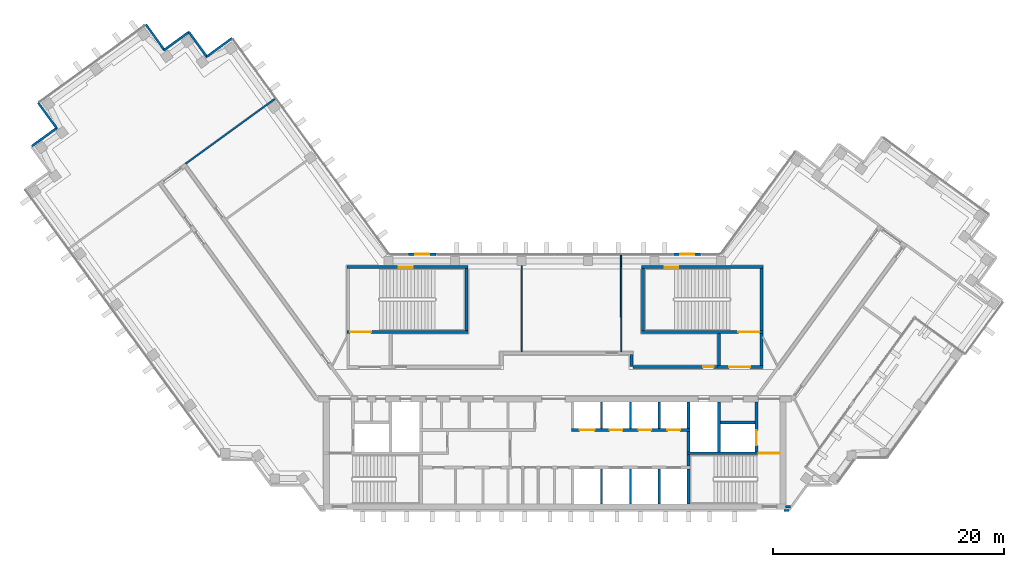
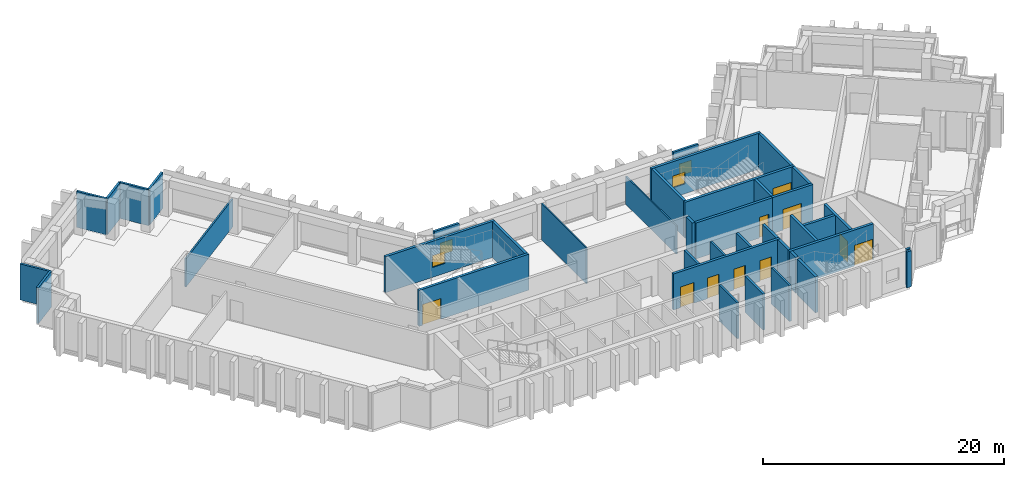
# One storey, part 7 of 10: 40 walls, 10 doors, 4 windows, 14 openings.
"""IFC4 building model written with IfcOpenShell, lengths in metres."""

from ifc_helpers import new_model, si_unit, direction, frame, frame_2d, origin, place, context, subcontext, project, spatial, rectangle, extrude, material, layer, layer_set, type_object, element, fill, save


model = new_model("IFC4")

# Units and contexts
model_context = context("Model", 3, precision=1e-05, world=origin(), true_north=direction((0.0, 1.0)))
body_context = subcontext(model_context, "Body", "Model", "MODEL_VIEW")
ifc_project = project(units=[si_unit("LENGTHUNIT", "METRE"), si_unit("AREAUNIT", "SQUARE_METRE"), si_unit("VOLUMEUNIT", "CUBIC_METRE"), si_unit("PLANEANGLEUNIT", "RADIAN"), si_unit("MASSUNIT", "GRAM", prefix="KILO")], contexts=[model_context])

# Site, building, storey
site_placement = place(None, origin())
site = spatial("IfcSite", under=ifc_project, at=site_placement, CompositionType="ELEMENT")
building_placement = place(site_placement, origin())
building = spatial("IfcBuilding", under=site, at=building_placement, Name="Quipu Civic Tower", CompositionType="ELEMENT")
storey_placement = place(building_placement, frame((0.0, 0.0, 206.0)))
storey = spatial("IfcBuildingStorey", under=building, at=storey_placement, Name="L48", CompositionType="ELEMENT", Elevation=206.0)

# Walls
ifc_material_1 = material(Name="Double gypsum plasterboard with mineral wool")
ifc_layer_1 = layer(ifc_material_1, 0.14990234375)
ifc_layer_set_1 = layer_set([ifc_layer_1], Name="Double gypsum plasterboard with mineral wool")
wall_type_1 = type_object("IfcWallType", Name="Acoustic partition 150 plasterboard", PredefinedType="PARTITIONING", material=ifc_layer_set_1)
wall_1_placement = place(storey_placement, frame((-24.226318359375, 24.531494140625, 0.0), z_axis=(0.0, 0.0, 1.0), x_axis=(-0.80898585166, -0.587828114175, 0.0)))
element("IfcWall", 1, at=wall_1_placement, inside=storey, type_object=wall_type_1, Name="Partition P04", PredefinedType="PARTITIONING", context=body_context, shape_type="SweptSolid", body=[
    extrude(rectangle(XDim=9.550048828125, YDim=0.14990234375, at=frame_2d((4.77490234375, 0.0))), origin(), (0.0, 0.0, 1.0), 2.85009765625),
])
ifc_material_2 = material(Name="Concrete C70/85", Category="concrete")
ifc_layer_2 = layer(ifc_material_2, 0.25)
ifc_layer_set_2 = layer_set([ifc_layer_2], Name="Concrete C70/85")
wall_type_2 = type_object("IfcWallType", Name="Core wall 250", PredefinedType="SHEAR", material=ifc_layer_set_2)
wall_2_placement = place(storey_placement, frame((11.574951171875, -10.5, 0.0), z_axis=(0.0, 0.0, 1.0), x_axis=(0.0, 1.0, 0.0)))
element("IfcWall", 2, at=wall_2_placement, inside=storey, type_object=wall_type_2, Name="Core wall", PredefinedType="SHEAR", context=body_context, shape_type="SweptSolid", body=[
    extrude(rectangle(XDim=3.0, YDim=0.25, at=frame_2d((1.5, 0.0))), origin(), (0.0, 0.0, 1.0), 3.64990234375),
])
wall_3_placement = place(storey_placement, frame((11.574951171875, -7.25, 0.0), z_axis=(0.0, 0.0, 1.0), x_axis=(0.0, 1.0, 0.0)))
element("IfcWall", 3, at=wall_3_placement, inside=storey, type_object=wall_type_2, Name="Core wall", PredefinedType="SHEAR", context=body_context, shape_type="SweptSolid", body=[
    extrude(rectangle(XDim=1.0, YDim=0.25, at=frame_2d((0.5, 0.0))), origin(), (0.0, 0.0, 1.0), 3.64990234375),
])

# Wall, opening, door
wall_4_placement = place(storey_placement, frame((19.5, -6.125, 0.0), z_axis=(0.0, 0.0, 1.0), x_axis=(-1.0, 0.0, 0.0)))
wall_4 = element("IfcWall", 4, at=wall_4_placement, inside=storey, type_object=wall_type_2, Name="Core wall", PredefinedType="SHEAR", context=body_context, shape_type="SweptSolid", body=[
    extrude(rectangle(XDim=8.050048828125, YDim=0.25, at=frame_2d((4.02490234375, 0.0))), origin(), (0.0, 0.0, 1.0), 3.64990234375),
])
opening_1_placement = place(wall_4_placement, frame((0.050048828125, 0.0, 0.0)))
opening_1 = element("IfcOpeningElement", 5, at=opening_1_placement, cuts=wall_4, Name="Opening CD-09", PredefinedType="OPENING", context=body_context, shape_type="SweptSolid", body=[
    extrude(rectangle(XDim=1.800048828125, YDim=2.10009765625, at=frame_2d((0.89990234375, 1.050048828125))), frame((0.0, 0.135009765625, 0.0), z_axis=(0.0, -1.0, 0.0), x_axis=(1.0, 0.0, 0.0)), (0.0, 0.0, 1.0), 0.27001953125),
])
ifc_material_3 = material(Name="Fire rated steel door", Category="steel")
door_type_1 = type_object("IfcDoorType", Name="Fire door FD90 double 1800 x 2100", OperationType="NOTDEFINED", PredefinedType="DOOR", material=ifc_material_3)
door_1_placement = place(opening_1_placement, origin())
door_1 = element("IfcDoor", 6, at=door_1_placement, inside=storey, type_object=door_type_1, Name="Door", OperationType="DOUBLE_DOOR_SINGLE_SWING", OverallHeight=2.10009765625, OverallWidth=1.800048828125, PredefinedType="DOOR", context=body_context, shape_type="SweptSolid", body=[
    extrude(rectangle(XDim=1.800048828125, YDim=2.10009765625, at=frame_2d((0.89990234375, 1.050048828125))), frame((0.0, 0.02490234375, 0.0), z_axis=(0.0, -1.0, 0.0), x_axis=(1.0, 0.0, 0.0)), (0.0, 0.0, 1.0), 0.050048828125),
])
fill(opening_1, door_1)

# Walls
wall_5_placement = place(storey_placement, frame((11.574951171875, -6.0, 0.0), z_axis=(0.0, 0.0, 1.0), x_axis=(0.0, 1.0, 0.0)))
element("IfcWall", 7, at=wall_5_placement, inside=storey, type_object=wall_type_2, Name="Core wall", PredefinedType="SHEAR", context=body_context, shape_type="SweptSolid", body=[
    extrude(rectangle(XDim=1.75, YDim=0.25, at=frame_2d((0.875, 0.0))), origin(), (0.0, 0.0, 1.0), 3.64990234375),
])
wall_6_placement = place(storey_placement, frame((14.22509765625, -6.0, 0.0), z_axis=(0.0, 0.0, 1.0), x_axis=(0.0, 1.0, 0.0)))
element("IfcWall", 8, at=wall_6_placement, inside=storey, type_object=wall_type_2, Name="Core wall", PredefinedType="SHEAR", context=body_context, shape_type="SweptSolid", body=[
    extrude(rectangle(XDim=4.300048828125, YDim=0.25, at=frame_2d((2.14990234375, 0.0))), origin(), (0.0, 0.0, 1.0), 3.64990234375),
])

# Wall, opening, door
wall_7_placement = place(storey_placement, frame((17.47509765625, -6.0, 0.0), z_axis=(0.0, 0.0, 1.0), x_axis=(0.0, 1.0, 0.0)))
wall_7 = element("IfcWall", 9, at=wall_7_placement, inside=storey, type_object=wall_type_2, Name="Core wall", PredefinedType="SHEAR", context=body_context, shape_type="SweptSolid", body=[
    extrude(rectangle(XDim=4.300048828125, YDim=0.25, at=frame_2d((2.14990234375, 0.0))), origin(), (0.0, 0.0, 1.0), 3.64990234375),
])
opening_2_placement = place(wall_7_placement, frame((0.550048828125, 0.0, 0.0)))
opening_2 = element("IfcOpeningElement", 10, at=opening_2_placement, cuts=wall_7, Name="Opening LD-FF2", PredefinedType="OPENING", context=body_context, shape_type="SweptSolid", body=[
    extrude(rectangle(XDim=1.300048828125, YDim=2.10009765625, at=frame_2d((0.64990234375, 1.050048828125))), frame((0.0, 0.135009765625, 0.0), z_axis=(0.0, -1.0, 0.0), x_axis=(1.0, 0.0, 0.0)), (0.0, 0.0, 1.0), 0.27001953125),
])
ifc_material_4 = material(Name="Stainless steel", Category="steel")
door_type_2 = type_object("IfcDoorType", Name="Lift landing door 1300 x 2100", OperationType="DOUBLE_DOOR_SLIDING", PredefinedType="DOOR", material=ifc_material_4)
door_2_placement = place(opening_2_placement, origin())
door_2 = element("IfcDoor", 11, at=door_2_placement, inside=storey, type_object=door_type_2, Name="Landing door FF2", OperationType="DOUBLE_DOOR_SLIDING", OverallHeight=2.10009765625, OverallWidth=1.300048828125, PredefinedType="DOOR", context=body_context, shape_type="SweptSolid", body=[
    extrude(rectangle(XDim=1.300048828125, YDim=2.10009765625, at=frame_2d((0.64990234375, 1.050048828125))), frame((0.0, 0.02490234375, 0.0), z_axis=(0.0, -1.0, 0.0), x_axis=(1.0, 0.0, 0.0)), (0.0, 0.0, 1.0), 0.050048828125),
])
fill(opening_2, door_2)

# Wall, openings, doors
wall_8_placement = place(storey_placement, frame((1.449951171875, -4.125, 0.0), z_axis=(0.0, 0.0, 1.0), x_axis=(1.0, 0.0, 0.0)))
wall_8 = element("IfcWall", 12, at=wall_8_placement, inside=storey, type_object=wall_type_2, Name="Core wall", PredefinedType="SHEAR", context=body_context, shape_type="SweptSolid", body=[
    extrude(rectangle(XDim=10.25, YDim=0.25, at=frame_2d((5.125, 0.0))), origin(), (0.0, 0.0, 1.0), 3.64990234375),
])
opening_3_placement = place(wall_8_placement, frame((0.699951171875, 0.0, 0.0)))
opening_3 = element("IfcOpeningElement", 13, at=opening_3_placement, cuts=wall_8, Name="Opening LD-FF3", PredefinedType="OPENING", context=body_context, shape_type="SweptSolid", body=[
    extrude(rectangle(XDim=1.300048828125, YDim=2.10009765625, at=frame_2d((0.64990234375, 1.050048828125))), frame((0.0, 0.135009765625, 0.0), z_axis=(0.0, -1.0, 0.0), x_axis=(1.0, 0.0, 0.0)), (0.0, 0.0, 1.0), 0.27001953125),
])
opening_4_placement = place(wall_8_placement, frame((3.300048828125, 0.0, 0.0)))
opening_4 = element("IfcOpeningElement", 14, at=opening_4_placement, cuts=wall_8, Name="Opening LD-ML5", PredefinedType="OPENING", context=body_context, shape_type="SweptSolid", body=[
    extrude(rectangle(XDim=1.10009765625, YDim=2.10009765625, at=frame_2d((0.550048828125, 1.050048828125))), frame((0.0, 0.135009765625, 0.0), z_axis=(0.0, -1.0, 0.0), x_axis=(1.0, 0.0, 0.0)), (0.0, 0.0, 1.0), 0.27001953125),
])
opening_5_placement = place(wall_8_placement, frame((5.800048828125, 0.0, 0.0)))
opening_5 = element("IfcOpeningElement", 15, at=opening_5_placement, cuts=wall_8, Name="Opening LD-ML6", PredefinedType="OPENING", context=body_context, shape_type="SweptSolid", body=[
    extrude(rectangle(XDim=1.10009765625, YDim=2.10009765625, at=frame_2d((0.550048828125, 1.050048828125))), frame((0.0, 0.135009765625, 0.0), z_axis=(0.0, -1.0, 0.0), x_axis=(1.0, 0.0, 0.0)), (0.0, 0.0, 1.0), 0.27001953125),
])
opening_6_placement = place(wall_8_placement, frame((8.300048828125, 0.0, 0.0)))
opening_6 = element("IfcOpeningElement", 16, at=opening_6_placement, cuts=wall_8, Name="Opening LD-ML7", PredefinedType="OPENING", context=body_context, shape_type="SweptSolid", body=[
    extrude(rectangle(XDim=1.10009765625, YDim=2.10009765625, at=frame_2d((0.550048828125, 1.050048828125))), frame((0.0, 0.135009765625, 0.0), z_axis=(0.0, -1.0, 0.0), x_axis=(1.0, 0.0, 0.0)), (0.0, 0.0, 1.0), 0.27001953125),
])
ifc_material_5 = material(Name="Stainless steel", Category="steel")
door_type_3 = type_object("IfcDoorType", Name="Lift landing door 1100 x 2100", OperationType="DOUBLE_DOOR_SLIDING", PredefinedType="DOOR", material=ifc_material_5)
door_3_placement = place(opening_4_placement, origin())
door_3 = element("IfcDoor", 17, at=door_3_placement, inside=storey, type_object=door_type_3, Name="Landing door ML5", OperationType="DOUBLE_DOOR_SLIDING", OverallHeight=2.10009765625, OverallWidth=1.10009765625, PredefinedType="DOOR", context=body_context, shape_type="SweptSolid", body=[
    extrude(rectangle(XDim=1.10009765625, YDim=2.10009765625, at=frame_2d((0.550048828125, 1.050048828125))), frame((0.0, 0.02490234375, 0.0), z_axis=(0.0, -1.0, 0.0), x_axis=(1.0, 0.0, 0.0)), (0.0, 0.0, 1.0), 0.050048828125),
])
fill(opening_4, door_3)
door_4_placement = place(opening_5_placement, origin())
door_4 = element("IfcDoor", 18, at=door_4_placement, inside=storey, type_object=door_type_3, Name="Landing door ML6", OperationType="DOUBLE_DOOR_SLIDING", OverallHeight=2.10009765625, OverallWidth=1.10009765625, PredefinedType="DOOR", context=body_context, shape_type="SweptSolid", body=[
    extrude(rectangle(XDim=1.10009765625, YDim=2.10009765625, at=frame_2d((0.550048828125, 1.050048828125))), frame((0.0, 0.02490234375, 0.0), z_axis=(0.0, -1.0, 0.0), x_axis=(1.0, 0.0, 0.0)), (0.0, 0.0, 1.0), 0.050048828125),
])
fill(opening_5, door_4)
door_5_placement = place(opening_6_placement, origin())
door_5 = element("IfcDoor", 19, at=door_5_placement, inside=storey, type_object=door_type_3, Name="Landing door ML7", OperationType="DOUBLE_DOOR_SLIDING", OverallHeight=2.10009765625, OverallWidth=1.10009765625, PredefinedType="DOOR", context=body_context, shape_type="SweptSolid", body=[
    extrude(rectangle(XDim=1.10009765625, YDim=2.10009765625, at=frame_2d((0.550048828125, 1.050048828125))), frame((0.0, 0.02490234375, 0.0), z_axis=(0.0, -1.0, 0.0), x_axis=(1.0, 0.0, 0.0)), (0.0, 0.0, 1.0), 0.050048828125),
])
fill(opening_6, door_5)
door_6_placement = place(opening_3_placement, origin())
door_6 = element("IfcDoor", 20, at=door_6_placement, inside=storey, type_object=door_type_2, Name="Landing door FF3", OperationType="DOUBLE_DOOR_SLIDING", OverallHeight=2.10009765625, OverallWidth=1.300048828125, PredefinedType="DOOR", context=body_context, shape_type="SweptSolid", body=[
    extrude(rectangle(XDim=1.300048828125, YDim=2.10009765625, at=frame_2d((0.64990234375, 1.050048828125))), frame((0.0, 0.02490234375, 0.0), z_axis=(0.0, -1.0, 0.0), x_axis=(1.0, 0.0, 0.0)), (0.0, 0.0, 1.0), 0.050048828125),
])
fill(opening_3, door_6)

# Walls
wall_9_placement = place(storey_placement, frame((11.574951171875, -4.0, 0.0), z_axis=(0.0, 0.0, 1.0), x_axis=(0.0, 1.0, 0.0)))
element("IfcWall", 21, at=wall_9_placement, inside=storey, type_object=wall_type_2, Name="Core wall", PredefinedType="SHEAR", context=body_context, shape_type="SweptSolid", body=[
    extrude(rectangle(XDim=2.300048828125, YDim=0.25, at=frame_2d((1.14990234375, 0.0))), origin(), (0.0, 0.0, 1.0), 3.64990234375),
])
wall_10_placement = place(storey_placement, frame((14.35009765625, -3.47509765625, 0.0), z_axis=(0.0, 0.0, 1.0), x_axis=(1.0, 0.0, 0.0)))
element("IfcWall", 22, at=wall_10_placement, inside=storey, type_object=wall_type_2, Name="Core wall", PredefinedType="SHEAR", context=body_context, shape_type="SweptSolid", body=[
    extrude(rectangle(XDim=3.0, YDim=0.25, at=frame_2d((1.5, 0.0))), origin(), (0.0, 0.0, 1.0), 3.64990234375),
])

# Wall, opening, door
wall_11_placement = place(storey_placement, frame((-18.0, 4.375, 0.0), z_axis=(0.0, 0.0, 1.0), x_axis=(1.0, 0.0, 0.0)))
wall_11 = element("IfcWall", 23, at=wall_11_placement, inside=storey, type_object=wall_type_2, Name="Core wall", PredefinedType="SHEAR", context=body_context, shape_type="SweptSolid", body=[
    extrude(rectangle(XDim=10.5, YDim=0.25, at=frame_2d((5.25, 0.0))), origin(), (0.0, 0.0, 1.0), 3.64990234375),
])
opening_7_placement = place(wall_11_placement, frame((0.300048828125, 0.0, 0.0)))
opening_7 = element("IfcOpeningElement", 24, at=opening_7_placement, cuts=wall_11, Name="Opening CD-25", PredefinedType="OPENING", context=body_context, shape_type="SweptSolid", body=[
    extrude(rectangle(XDim=1.800048828125, YDim=2.10009765625, at=frame_2d((0.89990234375, 1.050048828125))), frame((0.0, 0.135009765625, 0.0), z_axis=(0.0, -1.0, 0.0), x_axis=(1.0, 0.0, 0.0)), (0.0, 0.0, 1.0), 0.27001953125),
])
door_7_placement = place(opening_7_placement, origin())
door_7 = element("IfcDoor", 25, at=door_7_placement, inside=storey, type_object=door_type_1, Name="Door", OperationType="DOUBLE_DOOR_SINGLE_SWING", OverallHeight=2.10009765625, OverallWidth=1.800048828125, PredefinedType="DOOR", context=body_context, shape_type="SweptSolid", body=[
    extrude(rectangle(XDim=1.800048828125, YDim=2.10009765625, at=frame_2d((0.89990234375, 1.050048828125))), frame((0.0, 0.02490234375, 0.0), z_axis=(0.0, -1.0, 0.0), x_axis=(1.0, 0.0, 0.0)), (0.0, 0.0, 1.0), 0.050048828125),
])
fill(opening_7, door_7)

# Wall
wall_12_placement = place(storey_placement, frame((-7.625, 4.5, 0.0), z_axis=(0.0, 0.0, 1.0), x_axis=(0.0, 1.0, 0.0)))
element("IfcWall", 26, at=wall_12_placement, inside=storey, type_object=wall_type_2, Name="Core wall", PredefinedType="SHEAR", context=body_context, shape_type="SweptSolid", body=[
    extrude(rectangle(XDim=5.35009765625, YDim=0.25, at=frame_2d((2.675048828125, 0.0))), origin(), (0.0, 0.0, 1.0), 3.64990234375),
])

# Wall, opening, window
wall_13_placement = place(storey_placement, frame((-18.0, 9.97509765625, 0.0), z_axis=(0.0, 0.0, 1.0), x_axis=(1.0, 0.0, 0.0)))
wall_13 = element("IfcWall", 27, at=wall_13_placement, inside=storey, type_object=wall_type_2, Name="Core wall", PredefinedType="SHEAR", context=body_context, shape_type="SweptSolid", body=[
    extrude(rectangle(XDim=10.5, YDim=0.25, at=frame_2d((5.25, 0.0))), origin(), (0.0, 0.0, 1.0), 3.64990234375),
])
opening_8_placement = place(wall_13_placement, frame((4.5, 0.0, 1.0)))
opening_8 = element("IfcOpeningElement", 28, at=opening_8_placement, cuts=wall_13, Name="Opening SV-3", PredefinedType="OPENING", context=body_context, shape_type="SweptSolid", body=[
    extrude(rectangle(XDim=1.199951171875, YDim=1.199951171875, at=frame_2d((0.60009765625, 0.60009765625))), frame((0.0, 0.135009765625, 0.0), z_axis=(0.0, -1.0, 0.0), x_axis=(1.0, 0.0, 0.0)), (0.0, 0.0, 1.0), 0.27001953125),
])
ifc_material_6 = material(Name="Aluminium louvre", Category="aluminium")
window_type_1 = type_object("IfcWindowType", Name="Stair ventilation louvre 1200 x 1200", PartitioningType="SINGLE_PANEL", PredefinedType="WINDOW", material=ifc_material_6)
window_1_placement = place(opening_8_placement, origin())
window_1 = element("IfcWindow", 29, at=window_1_placement, inside=storey, type_object=window_type_1, Name="Stair ventilation opening", OverallHeight=1.199951171875, OverallWidth=1.199951171875, PartitioningType="SINGLE_PANEL", PredefinedType="WINDOW", context=body_context, shape_type="SweptSolid", body=[
    extrude(rectangle(XDim=1.199951171875, YDim=1.199951171875, at=frame_2d((0.60009765625, 0.60009765625))), frame((0.0, 0.030029296875, 0.0), z_axis=(0.0, -1.0, 0.0), x_axis=(1.0, 0.0, 0.0)), (0.0, 0.0, 1.0), 0.06005859375),
])
fill(opening_8, window_1)

# Wall, opening, door
wall_14_placement = place(storey_placement, frame((14.10009765625, 1.324951171875, 0.0), z_axis=(0.0, 0.0, 1.0), x_axis=(1.0, 0.0, 0.0)))
wall_14 = element("IfcWall", 30, at=wall_14_placement, inside=storey, type_object=wall_type_2, Name="Core wall", PredefinedType="SHEAR", context=body_context, shape_type="SweptSolid", body=[
    extrude(rectangle(XDim=3.89990234375, YDim=0.25, at=frame_2d((1.949951171875, 0.0))), origin(), (0.0, 0.0, 1.0), 3.64990234375),
])
opening_9_placement = place(wall_14_placement, frame((1.0, 0.0, 0.0)))
opening_9 = element("IfcOpeningElement", 31, at=opening_9_placement, cuts=wall_14, Name="Opening CD-26", PredefinedType="OPENING", context=body_context, shape_type="SweptSolid", body=[
    extrude(rectangle(XDim=1.800048828125, YDim=2.10009765625, at=frame_2d((0.89990234375, 1.050048828125))), frame((0.0, 0.135009765625, 0.0), z_axis=(0.0, -1.0, 0.0), x_axis=(1.0, 0.0, 0.0)), (0.0, 0.0, 1.0), 0.27001953125),
])
door_8_placement = place(opening_9_placement, origin())
door_8 = element("IfcDoor", 32, at=door_8_placement, inside=storey, type_object=door_type_1, Name="Lobby door", OperationType="DOUBLE_DOOR_SINGLE_SWING", OverallHeight=2.10009765625, OverallWidth=1.800048828125, PredefinedType="DOOR", context=body_context, shape_type="SweptSolid", body=[
    extrude(rectangle(XDim=1.800048828125, YDim=2.10009765625, at=frame_2d((0.89990234375, 1.050048828125))), frame((0.0, 0.02490234375, 0.0), z_axis=(0.0, -1.0, 0.0), x_axis=(1.0, 0.0, 0.0)), (0.0, 0.0, 1.0), 0.050048828125),
])
fill(opening_9, door_8)

# Walls
for number, where, z_axis, x_axis, name in (
    (33, (14.22509765625, 1.449951171875, 0.0), (0.0, 0.0, 1.0), (0.0, 1.0, 0.0), "Core wall"),
    (34, (17.875, 1.449951171875, 0.0), (0.0, 0.0, 1.0), (0.0, 1.0, 0.0), "Core wall"),
):
    element("IfcWall", number, at=place(storey_placement, frame(where, z_axis=z_axis, x_axis=x_axis)), inside=storey, type_object=wall_type_2, Name=name, PredefinedType="SHEAR", context=body_context, shape_type="SweptSolid", body=[
        extrude(rectangle(XDim=2.800048828125, YDim=0.25, at=frame_2d((1.39990234375, 0.0))), origin(), (0.0, 0.0, 1.0), 3.64990234375),
    ])

# Wall, opening, door
wall_15_placement = place(storey_placement, frame((7.5, 4.375, 0.0), z_axis=(0.0, 0.0, 1.0), x_axis=(1.0, 0.0, 0.0)))
wall_15 = element("IfcWall", 35, at=wall_15_placement, inside=storey, type_object=wall_type_2, Name="Core wall", PredefinedType="SHEAR", context=body_context, shape_type="SweptSolid", body=[
    extrude(rectangle(XDim=10.5, YDim=0.25, at=frame_2d((5.25, 0.0))), origin(), (0.0, 0.0, 1.0), 3.64990234375),
])
opening_10_placement = place(wall_15_placement, frame((8.39990234375, 0.0, 0.0)))
opening_10 = element("IfcOpeningElement", 36, at=opening_10_placement, cuts=wall_15, Name="Opening CD-27", PredefinedType="OPENING", context=body_context, shape_type="SweptSolid", body=[
    extrude(rectangle(XDim=1.800048828125, YDim=2.10009765625, at=frame_2d((0.89990234375, 1.050048828125))), frame((0.0, 0.135009765625, 0.0), z_axis=(0.0, -1.0, 0.0), x_axis=(1.0, 0.0, 0.0)), (0.0, 0.0, 1.0), 0.27001953125),
])
door_9_placement = place(opening_10_placement, origin())
door_9 = element("IfcDoor", 37, at=door_9_placement, inside=storey, type_object=door_type_1, Name="Door", OperationType="DOUBLE_DOOR_SINGLE_SWING", OverallHeight=2.10009765625, OverallWidth=1.800048828125, PredefinedType="DOOR", context=body_context, shape_type="SweptSolid", body=[
    extrude(rectangle(XDim=1.800048828125, YDim=2.10009765625, at=frame_2d((0.89990234375, 1.050048828125))), frame((0.0, 0.02490234375, 0.0), z_axis=(0.0, -1.0, 0.0), x_axis=(1.0, 0.0, 0.0)), (0.0, 0.0, 1.0), 0.050048828125),
])
fill(opening_10, door_9)

# Walls
for number, where, z_axis, x_axis, name in (
    (38, (7.625, 4.5, 0.0), (0.0, 0.0, 1.0), (0.0, 1.0, 0.0), "Core wall"),
    (39, (17.875, 4.5, 0.0), (0.0, 0.0, 1.0), (0.0, 1.0, 0.0), "Core wall"),
):
    element("IfcWall", number, at=place(storey_placement, frame(where, z_axis=z_axis, x_axis=x_axis)), inside=storey, type_object=wall_type_2, Name=name, PredefinedType="SHEAR", context=body_context, shape_type="SweptSolid", body=[
        extrude(rectangle(XDim=5.35009765625, YDim=0.25, at=frame_2d((2.675048828125, 0.0))), origin(), (0.0, 0.0, 1.0), 3.64990234375),
    ])

# Wall, opening, window
wall_16_placement = place(storey_placement, frame((7.5, 9.97509765625, 0.0), z_axis=(0.0, 0.0, 1.0), x_axis=(1.0, 0.0, 0.0)))
wall_16 = element("IfcWall", 40, at=wall_16_placement, inside=storey, type_object=wall_type_2, Name="Core wall", PredefinedType="SHEAR", context=body_context, shape_type="SweptSolid", body=[
    extrude(rectangle(XDim=10.5, YDim=0.25, at=frame_2d((5.25, 0.0))), origin(), (0.0, 0.0, 1.0), 3.64990234375),
])
opening_11_placement = place(wall_16_placement, frame((2.0, 0.0, 1.0)))
opening_11 = element("IfcOpeningElement", 41, at=opening_11_placement, cuts=wall_16, Name="Opening SV-4", PredefinedType="OPENING", context=body_context, shape_type="SweptSolid", body=[
    extrude(rectangle(XDim=1.199951171875, YDim=1.199951171875, at=frame_2d((0.60009765625, 0.60009765625))), frame((0.0, 0.135009765625, 0.0), z_axis=(0.0, -1.0, 0.0), x_axis=(1.0, 0.0, 0.0)), (0.0, 0.0, 1.0), 0.27001953125),
])
window_2_placement = place(opening_11_placement, origin())
window_2 = element("IfcWindow", 42, at=window_2_placement, inside=storey, type_object=window_type_1, Name="Stair ventilation opening", OverallHeight=1.199951171875, OverallWidth=1.199951171875, PartitioningType="SINGLE_PANEL", PredefinedType="WINDOW", context=body_context, shape_type="SweptSolid", body=[
    extrude(rectangle(XDim=1.199951171875, YDim=1.199951171875, at=frame_2d((0.60009765625, 0.60009765625))), frame((0.0, 0.030029296875, 0.0), z_axis=(0.0, -1.0, 0.0), x_axis=(1.0, 0.0, 0.0)), (0.0, 0.0, 1.0), 0.06005859375),
])
fill(opening_11, window_2)

# Wall
ifc_material_7 = material(Name="Concrete C50/60", Category="concrete")
ifc_layer_3 = layer(ifc_material_7, 0.25)
ifc_layer_set_3 = layer_set([ifc_layer_3], Name="Concrete C50/60")
wall_type_3 = type_object("IfcWallType", Name="Corridor wall 250 concrete", PredefinedType="SOLIDWALL", material=ifc_layer_set_3)
wall_17_placement = place(storey_placement, frame((6.625, 2.39990234375, 0.0), z_axis=(0.0, 0.0, 1.0), x_axis=(0.0, -1.0, 0.0)))
element("IfcWall", 43, at=wall_17_placement, inside=storey, type_object=wall_type_3, Name="Corridor wall C10", PredefinedType="SOLIDWALL", context=body_context, shape_type="SweptSolid", body=[
    extrude(rectangle(XDim=1.041259765625, YDim=0.25, at=frame_2d((0.5205078125, 0.0))), origin(), (0.0, 0.0, 1.0), 3.64990234375),
])

# Wall, opening, door
wall_18_placement = place(storey_placement, frame((6.753662109375, 1.324951171875, 0.0), z_axis=(0.0, 0.0, 1.0), x_axis=(1.0, 0.0, 0.0)))
wall_18 = element("IfcWall", 44, at=wall_18_placement, inside=storey, type_object=wall_type_3, Name="Corridor wall C11", PredefinedType="SOLIDWALL", context=body_context, shape_type="SweptSolid", body=[
    extrude(rectangle(XDim=7.33642578125, YDim=0.25, at=frame_2d((3.668212890625, 0.0))), origin(), (0.0, 0.0, 1.0), 3.64990234375),
])
opening_12_placement = place(wall_18_placement, frame((6.09619140625, 0.0, 0.0)))
opening_12 = element("IfcOpeningElement", 45, at=opening_12_placement, cuts=wall_18, Name="Opening D007", PredefinedType="OPENING", context=body_context, shape_type="SweptSolid", body=[
    extrude(rectangle(XDim=0.89990234375, YDim=2.10009765625, at=frame_2d((0.449951171875, 1.050048828125))), frame((0.0, 0.135009765625, 0.0), z_axis=(0.0, -1.0, 0.0), x_axis=(1.0, 0.0, 0.0)), (0.0, 0.0, 1.0), 0.27001953125),
])
ifc_material_8 = material(Name="Fire rated timber door set with metal frame", Category="wood")
door_type_4 = type_object("IfcDoorType", Name="Single door 900 x 2100 FD60", OperationType="NOTDEFINED", PredefinedType="DOOR", material=ifc_material_8)
door_10_placement = place(opening_12_placement, origin())
door_10 = element("IfcDoor", 46, at=door_10_placement, inside=storey, type_object=door_type_4, Name="Door D007", OperationType="SINGLE_SWING_RIGHT", OverallHeight=2.10009765625, OverallWidth=0.89990234375, PredefinedType="DOOR", context=body_context, shape_type="SweptSolid", body=[
    extrude(rectangle(XDim=0.89990234375, YDim=2.10009765625, at=frame_2d((0.449951171875, 1.050048828125))), frame((0.0, 0.02490234375, 0.0), z_axis=(0.0, -1.0, 0.0), x_axis=(1.0, 0.0, 0.0)), (0.0, 0.0, 1.0), 0.050048828125),
])
fill(opening_12, door_10)

# Walls
ifc_material_9 = material(Name="Gypsum plasterboard on light gauge framing")
ifc_layer_4 = layer(ifc_material_9, 0.1201171875)
ifc_layer_set_4 = layer_set([ifc_layer_4], Name="Gypsum plasterboard on light gauge framing")
wall_type_4 = type_object("IfcWallType", Name="Partition 120 plasterboard", PredefinedType="PARTITIONING", material=ifc_layer_set_4)
wall_19_placement = place(storey_placement, frame((-2.85888671875, 10.094970703125, 0.0), z_axis=(0.0, 0.0, 1.0), x_axis=(0.0, -1.0, 0.0)))
element("IfcWall", 47, at=wall_19_placement, inside=storey, type_object=wall_type_4, Name="Partition P01", PredefinedType="PARTITIONING", context=body_context, shape_type="SweptSolid", body=[
    extrude(rectangle(XDim=7.445068359375, YDim=0.1201171875, at=frame_2d((3.72265625, 0.0))), origin(), (0.0, 0.0, 1.0), 3.64990234375),
])
wall_20_placement = place(storey_placement, frame((5.758056640625, 2.64990234375, 0.0), z_axis=(0.0, 0.0, 1.0), x_axis=(-0.002748366908, 0.999996223233, 0.0)))
element("IfcWall", 48, at=wall_20_placement, inside=storey, type_object=wall_type_4, Name="Partition P02", PredefinedType="PARTITIONING", context=body_context, shape_type="SweptSolid", body=[
    extrude(rectangle(XDim=8.35009765625, YDim=0.1201171875, at=frame_2d((4.175048828125, 0.0))), origin(), (0.0, 0.0, 1.0), 2.85009765625),
])
ifc_material_10 = material(Name="Precast concrete C40/50", Category="concrete")
wall_type_5 = type_object("IfcWallType", Name="Precast cladding wall", PredefinedType="SOLIDWALL", material=ifc_material_10)
for number, where, z_axis, x_axis, name in (
    (49, (-27.92138671875, 29.787109375, 0.0), (0.0, 0.0, 1.0), (-0.809033161865, -0.587762999008, 0.0), "Precast cladding wall L48 9"),
    (50, (-30.08349609375, 28.149169921875, 0.0), (0.0, 0.0, 1.0), (-0.587762999008, 0.809033161865, 0.0), "Precast cladding wall L48 10"),
    (51, (-31.653564453125, 30.330810546875, 0.0), (0.0, 0.0, 1.0), (-0.809033161865, -0.587762999008, 0.0), "Precast cladding wall L48 11"),
    (52, (-33.80078125, 28.785888671875, 0.0), (0.0, 0.0, 1.0), (-0.587762999008, 0.809033161865, 0.0), "Precast cladding wall L48 12"),
    (53, (-44.699462890625, 24.20458984375, 0.0), (0.0, 0.0, 1.0), (0.587762999008, -0.809033161865, 0.0), "Precast cladding wall L48 14"),
    (54, (-43.060791015625, 22.04296875, 0.0), (0.0, 0.0, 1.0), (-0.809033161865, -0.587762999008, 0.0), "Precast cladding wall L48 15"),
):
    element("IfcWall", number, at=place(storey_placement, frame(where, z_axis=z_axis, x_axis=x_axis)), inside=storey, type_object=wall_type_5, Name=name, PredefinedType="SOLIDWALL", context=body_context, shape_type="SweptSolid", body=[
        extrude(rectangle(XDim=2.699951171875, YDim=0.199951171875, at=frame_2d((1.35009765625, 0.0))), origin(), (0.0, 0.0, 1.0), 3.64990234375),
    ])
wall_21_placement = place(storey_placement, frame((19.85009765625, -11.087890625, 0.0), z_axis=(0.0, 0.0, 1.0), x_axis=(1.0, 0.0, 0.0)))
element("IfcWall", 55, at=wall_21_placement, inside=storey, type_object=wall_type_5, Name="Precast cladding wall L48 25", PredefinedType="SOLIDWALL", context=body_context, shape_type="SweptSolid", body=[
    extrude(rectangle(XDim=0.40576171875, YDim=0.199951171875, at=frame_2d((0.202880859375, 0.0))), origin(), (0.0, 0.0, 1.0), 3.64990234375),
])

# Wall, opening, window
wall_22_placement = place(storey_placement, frame((12.655029296875, 11.10009765625, 0.0), z_axis=(0.0, 0.0, 1.0), x_axis=(-1.0, 0.0, 0.0)))
wall_22 = element("IfcWall", 56, at=wall_22_placement, inside=storey, type_object=wall_type_5, Name="Vent surround SF-L48-2", PredefinedType="SOLIDWALL", context=body_context, shape_type="SweptSolid", body=[
    extrude(rectangle(XDim=2.3916015625, YDim=0.199951171875, at=frame_2d((1.19580078125, 0.0))), origin(), (0.0, 0.0, 1.0), 3.64990234375),
])
opening_13_placement = place(wall_22_placement, frame((0.595703125, 0.0, 1.0)))
opening_13 = element("IfcOpeningElement", 57, at=opening_13_placement, cuts=wall_22, Name="Opening SF-L48-2", PredefinedType="OPENING", context=body_context, shape_type="SweptSolid", body=[
    extrude(rectangle(XDim=1.199951171875, YDim=1.199951171875, at=frame_2d((0.60009765625, 0.60009765625))), frame((0.0, 0.10986328125, 0.0), z_axis=(0.0, -1.0, 0.0), x_axis=(1.0, 0.0, 0.0)), (0.0, 0.0, 1.0), 0.219970703125),
])
ifc_material_11 = material(Name="Anodised aluminium louvre", Category="aluminium")
window_type_2 = type_object("IfcWindowType", Name="Stair vent louvre window P3", PartitioningType="SINGLE_PANEL", PredefinedType="WINDOW", material=ifc_material_11)
window_3_placement = place(opening_13_placement, origin())
window_3 = element("IfcWindow", 58, at=window_3_placement, inside=storey, type_object=window_type_2, Name="Stair vent louvre SF-L48-2", OverallHeight=1.199951171875, OverallWidth=1.199951171875, PartitioningType="SINGLE_PANEL", PredefinedType="WINDOW", context=body_context, shape_type="SweptSolid", body=[
    extrude(rectangle(XDim=1.199951171875, YDim=1.199951171875, at=frame_2d((0.60009765625, 0.60009765625))), frame((0.0, 0.030029296875, 0.0), z_axis=(0.0, -1.0, 0.0), x_axis=(1.0, 0.0, 0.0)), (0.0, 0.0, 1.0), 0.06005859375),
])
fill(opening_13, window_3)

wall_23_placement = place(storey_placement, frame((-10.263427734375, 11.10009765625, 0.0), z_axis=(0.0, 0.0, 1.0), x_axis=(-1.0, 0.0, 0.0)))
wall_23 = element("IfcWall", 59, at=wall_23_placement, inside=storey, type_object=wall_type_5, Name="Vent surround SF-L48-1", PredefinedType="SOLIDWALL", context=body_context, shape_type="SweptSolid", body=[
    extrude(rectangle(XDim=2.3916015625, YDim=0.199951171875, at=frame_2d((1.19580078125, 0.0))), origin(), (0.0, 0.0, 1.0), 3.64990234375),
])
opening_14_placement = place(wall_23_placement, frame((0.595703125, 0.0, 1.0)))
opening_14 = element("IfcOpeningElement", 60, at=opening_14_placement, cuts=wall_23, Name="Opening SF-L48-1", PredefinedType="OPENING", context=body_context, shape_type="SweptSolid", body=[
    extrude(rectangle(XDim=1.199951171875, YDim=1.199951171875, at=frame_2d((0.60009765625, 0.60009765625))), frame((0.0, 0.10986328125, 0.0), z_axis=(0.0, -1.0, 0.0), x_axis=(1.0, 0.0, 0.0)), (0.0, 0.0, 1.0), 0.219970703125),
])
window_4_placement = place(opening_14_placement, origin())
window_4 = element("IfcWindow", 61, at=window_4_placement, inside=storey, type_object=window_type_2, Name="Stair vent louvre SF-L48-1", OverallHeight=1.199951171875, OverallWidth=1.199951171875, PartitioningType="SINGLE_PANEL", PredefinedType="WINDOW", context=body_context, shape_type="SweptSolid", body=[
    extrude(rectangle(XDim=1.199951171875, YDim=1.199951171875, at=frame_2d((0.60009765625, 0.60009765625))), frame((0.0, 0.030029296875, 0.0), z_axis=(0.0, -1.0, 0.0), x_axis=(1.0, 0.0, 0.0)), (0.0, 0.0, 1.0), 0.06005859375),
])
fill(opening_14, window_4)

# Walls
wall_24_placement = place(storey_placement, frame((19.97998046875, -10.75, 0.0), z_axis=(0.0, 0.0, 1.0), x_axis=(1.0, 0.0, 0.0)))
element("IfcWall", 62, at=wall_24_placement, inside=storey, type_object=wall_type_5, Name="Precast cladding return L48 E", PredefinedType="SOLIDWALL", context=body_context, shape_type="SweptSolid", body=[
    extrude(rectangle(XDim=0.41650390625, YDim=0.199951171875, at=frame_2d((0.208251953125, 0.0))), origin(), (0.0, 0.0, 1.0), 3.64990234375),
])
ifc_material_12 = material(Name="Concrete C40/50", Category="concrete")
ifc_layer_5 = layer(ifc_material_12, 0.199951171875)
ifc_layer_set_5 = layer_set([ifc_layer_5], Name="Concrete C40/50")
wall_type_6 = type_object("IfcWallType", Name="Shaft wall 200", PredefinedType="SOLIDWALL", material=ifc_layer_set_5)
for number, where, z_axis, x_axis, name in (
    (63, (4.050048828125, -10.5, 0.0), (0.0, 0.0, 1.0), (0.0, 1.0, 0.0), "Shaft wall"),
    (64, (6.550048828125, -10.5, 0.0), (0.0, 0.0, 1.0), (0.0, 1.0, 0.0), "Shaft wall"),
    (65, (9.050048828125, -10.5, 0.0), (0.0, 0.0, 1.0), (0.0, 1.0, 0.0), "Shaft wall"),
):
    element("IfcWall", number, at=place(storey_placement, frame(where, z_axis=z_axis, x_axis=x_axis)), inside=storey, type_object=wall_type_6, Name=name, PredefinedType="SOLIDWALL", context=body_context, shape_type="SweptSolid", body=[
        extrude(rectangle(XDim=3.0, YDim=0.199951171875, at=frame_2d((1.5, 0.0))), origin(), (0.0, 0.0, 1.0), 3.64990234375),
    ])
for number, where, z_axis, x_axis, name in (
    (66, (4.050048828125, -4.0, 0.0), (0.0, 0.0, 1.0), (0.0, 1.0, 0.0), "Shaft wall"),
    (67, (6.550048828125, -4.0, 0.0), (0.0, 0.0, 1.0), (0.0, 1.0, 0.0), "Shaft wall"),
    (68, (9.050048828125, -4.0, 0.0), (0.0, 0.0, 1.0), (0.0, 1.0, 0.0), "Shaft wall"),
):
    element("IfcWall", number, at=place(storey_placement, frame(where, z_axis=z_axis, x_axis=x_axis)), inside=storey, type_object=wall_type_6, Name=name, PredefinedType="SOLIDWALL", context=body_context, shape_type="SweptSolid", body=[
        extrude(rectangle(XDim=2.300048828125, YDim=0.199951171875, at=frame_2d((1.14990234375, 0.0))), origin(), (0.0, 0.0, 1.0), 3.64990234375),
    ])

save(model, "model.ifc")
